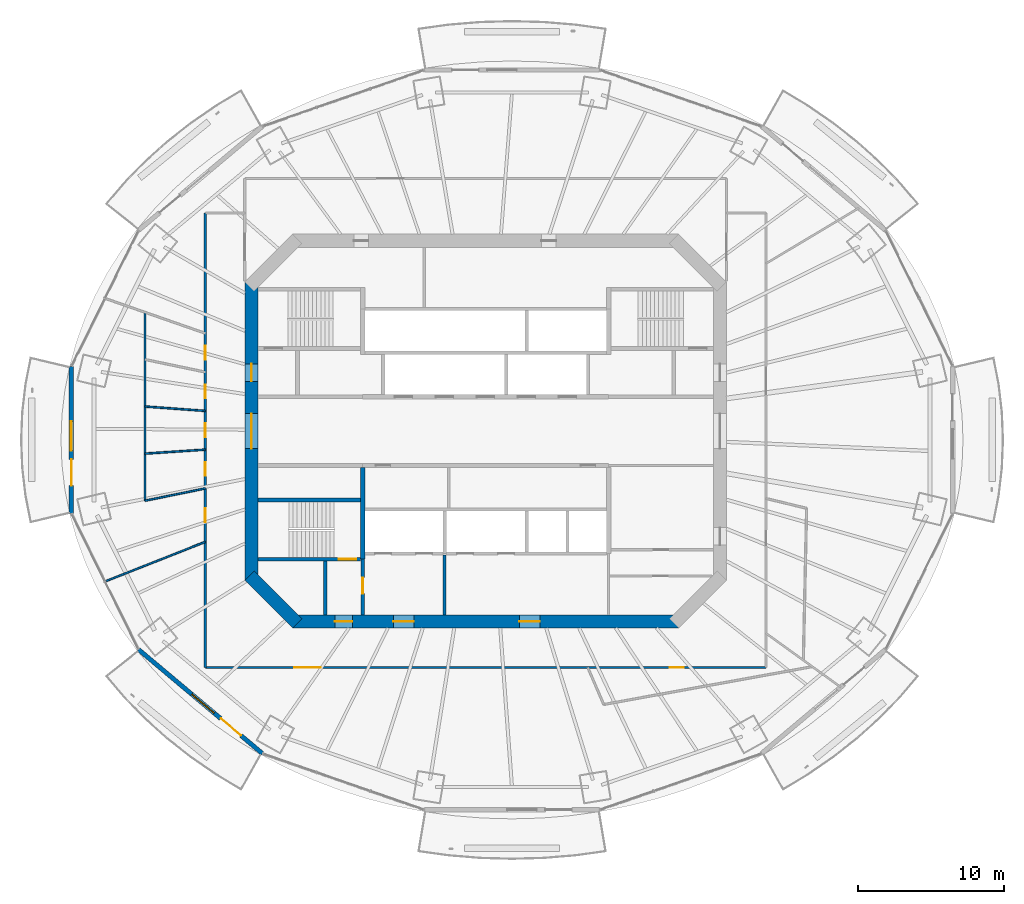
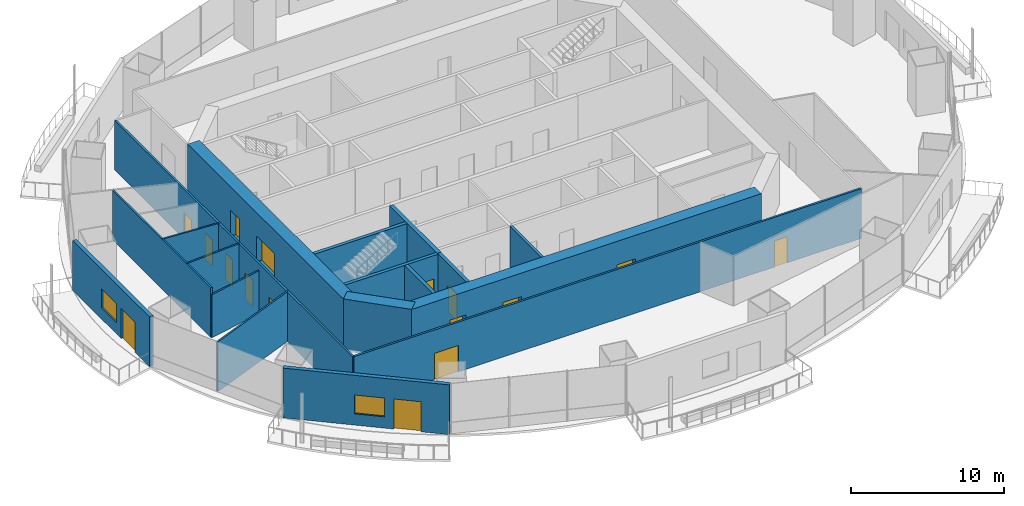
# One storey, part 10 of 19: 18 walls, 16 doors, 2 windows, 18 openings.
"""IFC4 building model written with IfcOpenShell, lengths in metres."""

from ifc_helpers import new_model, si_unit, direction, frame, frame_2d, origin, place, context, subcontext, project, spatial, rectangle, extrude, material, layer, layer_set, type_object, element, fill, save


model = new_model("IFC4")

# Units and contexts
model_context = context("Model", 3, precision=1e-05, world=origin(), true_north=direction((0.0, 1.0)))
body_context = subcontext(model_context, "Body", "Model", "MODEL_VIEW")
ifc_project = project(units=[si_unit("LENGTHUNIT", "METRE"), si_unit("AREAUNIT", "SQUARE_METRE"), si_unit("VOLUMEUNIT", "CUBIC_METRE"), si_unit("PLANEANGLEUNIT", "RADIAN"), si_unit("MASSUNIT", "GRAM", prefix="KILO")], contexts=[model_context])

# Site, building, storey
site_placement = place(None, origin())
site = spatial("IfcSite", under=ifc_project, at=site_placement, CompositionType="ELEMENT")
building_placement = place(site_placement, origin())
building = spatial("IfcBuilding", under=site, at=building_placement, Name="Marenthal Gate Tower", CompositionType="ELEMENT")
storey_placement = place(building_placement, frame((0.0, 0.0, 231.60009765625)))
storey = spatial("IfcBuildingStorey", under=building, at=storey_placement, Name="L51", CompositionType="ELEMENT", Elevation=231.60009765625)

# Wall, openings, doors
ifc_material_1 = material(Name="Concrete 60 MPa", Category="concrete")
ifc_layer_1 = layer(ifc_material_1, 0.89990234375)
ifc_layer_set_1 = layer_set([ifc_layer_1], Name="Core shear wall 900")
wall_type_1 = type_object("IfcWallType", Name="Core shear wall 900", PredefinedType="SHEAR", material=ifc_layer_set_1)
wall_1_placement = place(storey_placement, frame((-16.0, 10.186279296875, -0.18017578125), z_axis=(0.0, 0.0, 1.0), x_axis=(0.0, -1.0, 0.0)))
wall_1 = element("IfcWall", 1, at=wall_1_placement, inside=storey, type_object=wall_type_1, Name="Core wall 06", PredefinedType="SHEAR", context=body_context, shape_type="SweptSolid", body=[
    extrude(rectangle(XDim=20.37255859375, YDim=0.89990234375, at=frame_2d((10.186279296875, 0.0))), origin(), (0.0, 0.0, 1.0), 4.150146484375),
])
opening_1_placement = place(wall_1_placement, frame((8.986328125, 0.0, 0.179931640625)))
opening_1 = element("IfcOpeningElement", 2, at=opening_1_placement, cuts=wall_1, Name="Opening D003.01", PredefinedType="OPENING", context=body_context, shape_type="SweptSolid", body=[
    extrude(rectangle(XDim=2.39990234375, YDim=2.10009765625, at=frame_2d((1.199951171875, 1.050048828125))), frame((0.0, 0.4599609375, 0.0), z_axis=(0.0, -1.0, 0.0), x_axis=(1.0, 0.0, 0.0)), (0.0, 0.0, 1.0), 0.919921875),
])
opening_2_placement = place(wall_1_placement, frame((5.58642578125, 0.0, 0.179931640625)))
opening_2 = element("IfcOpeningElement", 3, at=opening_2_placement, cuts=wall_1, Name="Opening D001.04", PredefinedType="OPENING", context=body_context, shape_type="SweptSolid", body=[
    extrude(rectangle(XDim=1.199951171875, YDim=2.10009765625, at=frame_2d((0.60009765625, 1.050048828125))), frame((0.0, 0.4599609375, 0.0), z_axis=(0.0, -1.0, 0.0), x_axis=(1.0, 0.0, 0.0)), (0.0, 0.0, 1.0), 0.919921875),
])
ifc_material_2 = material(Name="Steel fire door", Category="steel")
door_type_1 = type_object("IfcDoorType", Name="Double fire door FD 45 2400 x 2100", OperationType="DOUBLE_DOOR_SINGLE_SWING", PredefinedType="DOOR", material=ifc_material_2)
door_1_placement = place(opening_1_placement, origin())
door_1 = element("IfcDoor", 4, at=door_1_placement, inside=storey, type_object=door_type_1, Name="Door D003.01", OperationType="DOUBLE_DOOR_SINGLE_SWING", OverallHeight=2.10009765625, OverallWidth=2.39990234375, PredefinedType="DOOR", context=body_context, shape_type="SweptSolid", body=[
    extrude(rectangle(XDim=2.39990234375, YDim=2.10009765625, at=frame_2d((1.199951171875, 1.050048828125))), frame((0.0, 0.02490234375, 0.0), z_axis=(0.0, -1.0, 0.0), x_axis=(1.0, 0.0, 0.0)), (0.0, 0.0, 1.0), 0.050048828125),
])
fill(opening_1, door_1)
ifc_material_3 = material(Name="Steel fire door", Category="steel")
door_type_2 = type_object("IfcDoorType", Name="Fire door FD 90 1200 x 2100", OperationType="NOTDEFINED", PredefinedType="DOOR", material=ifc_material_3)
door_2_placement = place(opening_2_placement, origin())
door_2 = element("IfcDoor", 5, at=door_2_placement, inside=storey, type_object=door_type_2, Name="Door D001.04", OperationType="SINGLE_SWING_RIGHT", OverallHeight=2.10009765625, OverallWidth=1.199951171875, PredefinedType="DOOR", context=body_context, shape_type="SweptSolid", body=[
    extrude(rectangle(XDim=1.199951171875, YDim=2.10009765625, at=frame_2d((0.60009765625, 1.050048828125))), frame((0.0, 0.02490234375, 0.0), z_axis=(0.0, -1.0, 0.0), x_axis=(1.0, 0.0, 0.0)), (0.0, 0.0, 1.0), 0.050048828125),
])
fill(opening_2, door_2)

# Wall
wall_2_placement = place(storey_placement, frame((-16.1318359375, -9.8681640625, -0.18017578125), z_axis=(0.0, 0.0, 1.0), x_axis=(0.707106781187, -0.707106781187, 0.0)))
element("IfcWall", 6, at=wall_2_placement, inside=storey, type_object=wall_type_1, Name="Core wall 07", PredefinedType="SHEAR", context=body_context, shape_type="SweptSolid", body=[
    extrude(rectangle(XDim=4.615478515625, YDim=0.89990234375, at=frame_2d((2.3076171875, 0.0))), origin(), (0.0, 0.0, 1.0), 4.150146484375),
])

# Wall, openings, doors
wall_3_placement = place(storey_placement, frame((-13.186279296875, -13.0, -0.18017578125), z_axis=(0.0, 0.0, 1.0), x_axis=(1.0, 0.0, 0.0)))
wall_3 = element("IfcWall", 7, at=wall_3_placement, inside=storey, type_object=wall_type_1, Name="Core wall 08", PredefinedType="SHEAR", context=body_context, shape_type="SweptSolid", body=[
    extrude(rectangle(XDim=26.37255859375, YDim=0.89990234375, at=frame_2d((13.186279296875, 0.0))), origin(), (0.0, 0.0, 1.0), 4.150146484375),
])
opening_3_placement = place(wall_3_placement, frame((2.886474609375, 0.0, 0.179931640625)))
opening_3 = element("IfcOpeningElement", 8, at=opening_3_placement, cuts=wall_3, Name="Opening D001.06", PredefinedType="OPENING", context=body_context, shape_type="SweptSolid", body=[
    extrude(rectangle(XDim=1.199951171875, YDim=2.10009765625, at=frame_2d((0.60009765625, 1.050048828125))), frame((0.0, 0.4599609375, 0.0), z_axis=(0.0, -1.0, 0.0), x_axis=(1.0, 0.0, 0.0)), (0.0, 0.0, 1.0), 0.919921875),
])
opening_4_placement = place(wall_3_placement, frame((6.886474609375, 0.0, 0.179931640625)))
opening_4 = element("IfcOpeningElement", 9, at=opening_4_placement, cuts=wall_3, Name="Opening D004.01", PredefinedType="OPENING", context=body_context, shape_type="SweptSolid", body=[
    extrude(rectangle(XDim=1.39990234375, YDim=2.10009765625, at=frame_2d((0.699951171875, 1.050048828125))), frame((0.0, 0.4599609375, 0.0), z_axis=(0.0, -1.0, 0.0), x_axis=(1.0, 0.0, 0.0)), (0.0, 0.0, 1.0), 0.919921875),
])
opening_5_placement = place(wall_3_placement, frame((15.486328125, 0.0, 0.179931640625)))
opening_5 = element("IfcOpeningElement", 10, at=opening_5_placement, cuts=wall_3, Name="Opening D004.02", PredefinedType="OPENING", context=body_context, shape_type="SweptSolid", body=[
    extrude(rectangle(XDim=1.39990234375, YDim=2.10009765625, at=frame_2d((0.699951171875, 1.050048828125))), frame((0.0, 0.4599609375, 0.0), z_axis=(0.0, -1.0, 0.0), x_axis=(1.0, 0.0, 0.0)), (0.0, 0.0, 1.0), 0.919921875),
])
ifc_material_4 = material(Name="Steel fire door", Category="steel")
door_type_3 = type_object("IfcDoorType", Name="Fire door FD 45 1400 x 2100", OperationType="NOTDEFINED", PredefinedType="DOOR", material=ifc_material_4)
door_3_placement = place(opening_4_placement, origin())
door_3 = element("IfcDoor", 11, at=door_3_placement, inside=storey, type_object=door_type_3, Name="Door D004.01", OperationType="SINGLE_SWING_RIGHT", OverallHeight=2.10009765625, OverallWidth=1.39990234375, PredefinedType="DOOR", context=body_context, shape_type="SweptSolid", body=[
    extrude(rectangle(XDim=1.39990234375, YDim=2.10009765625, at=frame_2d((0.699951171875, 1.050048828125))), frame((0.0, 0.02490234375, 0.0), z_axis=(0.0, -1.0, 0.0), x_axis=(1.0, 0.0, 0.0)), (0.0, 0.0, 1.0), 0.050048828125),
])
fill(opening_4, door_3)
door_4_placement = place(opening_5_placement, origin())
door_4 = element("IfcDoor", 12, at=door_4_placement, inside=storey, type_object=door_type_3, Name="Door D004.02", OperationType="SINGLE_SWING_RIGHT", OverallHeight=2.10009765625, OverallWidth=1.39990234375, PredefinedType="DOOR", context=body_context, shape_type="SweptSolid", body=[
    extrude(rectangle(XDim=1.39990234375, YDim=2.10009765625, at=frame_2d((0.699951171875, 1.050048828125))), frame((0.0, 0.02490234375, 0.0), z_axis=(0.0, -1.0, 0.0), x_axis=(1.0, 0.0, 0.0)), (0.0, 0.0, 1.0), 0.050048828125),
])
fill(opening_5, door_4)
door_5_placement = place(opening_3_placement, origin())
door_5 = element("IfcDoor", 13, at=door_5_placement, inside=storey, type_object=door_type_2, Name="Door D001.06", OperationType="SINGLE_SWING_RIGHT", OverallHeight=2.10009765625, OverallWidth=1.199951171875, PredefinedType="DOOR", context=body_context, shape_type="SweptSolid", body=[
    extrude(rectangle(XDim=1.199951171875, YDim=2.10009765625, at=frame_2d((0.60009765625, 1.050048828125))), frame((0.0, 0.02490234375, 0.0), z_axis=(0.0, -1.0, 0.0), x_axis=(1.0, 0.0, 0.0)), (0.0, 0.0, 1.0), 0.050048828125),
])
fill(opening_3, door_5)

# Walls
ifc_material_5 = material(Name="Gypsum board on steel studs", Category="steel")
ifc_layer_2 = layer(ifc_material_5, 0.199951171875)
ifc_layer_set_2 = layer_set([ifc_layer_2], Name="Fire lobby wall 200")
wall_type_2 = type_object("IfcWallType", Name="Fire lobby wall 200", PredefinedType="PARTITIONING", material=ifc_layer_set_2)
wall_4_placement = place(storey_placement, frame((-2.800048828125, -12.550048828125, 0.0), z_axis=(0.0, 0.0, 1.0), x_axis=(0.0, 1.0, 0.0)))
element("IfcWall", 14, at=wall_4_placement, inside=storey, type_object=wall_type_2, Name="Fire wall 36", PredefinedType="PARTITIONING", context=body_context, shape_type="SweptSolid", body=[
    extrude(rectangle(XDim=4.090087890625, YDim=0.199951171875, at=frame_2d((2.044921875, 0.0))), origin(), (0.0, 0.0, 1.0), 3.969970703125),
])
ifc_material_6 = material(Name="Concrete 50 MPa", Category="concrete")
ifc_layer_3 = layer(ifc_material_6, 0.300048828125)
ifc_layer_set_3 = layer_set([ifc_layer_3], Name="Hoistway shear wall 300")
wall_type_3 = type_object("IfcWallType", Name="Hoistway shear wall 300", PredefinedType="SHEAR", material=ifc_layer_set_3)
wall_5_placement = place(storey_placement, frame((-8.39990234375, -8.75, -0.18017578125), z_axis=(0.0, 0.0, 1.0), x_axis=(0.0, 1.0, 0.0)))
element("IfcWall", 15, at=wall_5_placement, inside=storey, type_object=wall_type_3, Name="Hoistway wall 31", PredefinedType="SHEAR", context=body_context, shape_type="SweptSolid", body=[
    extrude(rectangle(XDim=6.25, YDim=0.300048828125, at=frame_2d((3.125, 0.0))), origin(), (0.0, 0.0, 1.0), 4.150146484375),
])
ifc_material_7 = material(Name="Gypsum board on steel studs", Category="steel")
ifc_layer_4 = layer(ifc_material_7, 0.1201171875)
ifc_layer_set_4 = layer_set([ifc_layer_4], Name="Partition 120")
wall_type_4 = type_object("IfcWallType", Name="Partition 120", PredefinedType="PARTITIONING", material=ifc_layer_set_4)
wall_6_placement = place(storey_placement, frame((-23.264404296875, -4.751953125, 0.0), z_axis=(0.0, 0.0, 1.0), x_axis=(0.979774293951, 0.200105804295, 0.0)))
element("IfcWall", 16, at=wall_6_placement, inside=storey, type_object=wall_type_4, Name="Partition wall 49", PredefinedType="PARTITIONING", context=body_context, shape_type="SweptSolid", body=[
    extrude(rectangle(XDim=4.199462890625, YDim=0.1201171875, at=frame_2d((2.099609375, 0.0))), origin(), (0.0, 0.0, 1.0), 3.433837890625),
])
wall_7_placement = place(storey_placement, frame((-23.264404296875, -1.535400390625, 0.0), z_axis=(0.0, 0.0, 1.0), x_axis=(0.99783024909, 0.065839152494, 0.0)))
element("IfcWall", 17, at=wall_7_placement, inside=storey, type_object=wall_type_4, Name="Partition wall 50", PredefinedType="PARTITIONING", context=body_context, shape_type="SweptSolid", body=[
    extrude(rectangle(XDim=4.12353515625, YDim=0.1201171875, at=frame_2d((2.061767578125, 0.0))), origin(), (0.0, 0.0, 1.0), 3.969970703125),
])
wall_8_placement = place(storey_placement, frame((-23.264404296875, 1.680908203125, 0.0), z_axis=(0.0, 0.0, 1.0), x_axis=(0.997402818869, -0.07202511307, 0.0)))
element("IfcWall", 18, at=wall_8_placement, inside=storey, type_object=wall_type_4, Name="Partition wall 51", PredefinedType="PARTITIONING", context=body_context, shape_type="SweptSolid", body=[
    extrude(rectangle(XDim=4.125244140625, YDim=0.1201171875, at=frame_2d((2.0625, 0.0))), origin(), (0.0, 0.0, 1.0), 3.969970703125),
])
wall_9_placement = place(storey_placement, frame((-23.264404296875, 8.11376953125, 0.0), z_axis=(0.0, 0.0, 1.0), x_axis=(0.0, -1.0, 0.0)))
element("IfcWall", 19, at=wall_9_placement, inside=storey, type_object=wall_type_4, Name="Partition wall 53", PredefinedType="PARTITIONING", context=body_context, shape_type="SweptSolid", body=[
    extrude(rectangle(XDim=12.86572265625, YDim=0.1201171875, at=frame_2d((6.432861328125, 0.0))), origin(), (0.0, 0.0, 1.0), 3.969970703125),
])
wall_10_placement = place(storey_placement, frame((-19.14990234375, -7.5625, 0.0), z_axis=(0.0, 0.0, 1.0), x_axis=(-0.930098365243, -0.367310537518, 0.0)))
element("IfcWall", 20, at=wall_10_placement, inside=storey, type_object=wall_type_4, Name="Partition wall 55", PredefinedType="PARTITIONING", context=body_context, shape_type="SweptSolid", body=[
    extrude(rectangle(XDim=7.37255859375, YDim=0.1201171875, at=frame_2d((3.686279296875, 0.0))), origin(), (0.0, 0.0, 1.0), 3.969970703125),
])

# Wall, openings, doors
ifc_material_8 = material(Name="Gypsum board on steel studs", Category="steel")
ifc_layer_5 = layer(ifc_material_8, 0.14990234375)
ifc_layer_set_5 = layer_set([ifc_layer_5], Name="Partition 150")
wall_type_5 = type_object("IfcWallType", Name="Partition 150", PredefinedType="PARTITIONING", material=ifc_layer_set_5)
wall_11_placement = place(storey_placement, frame((-19.14990234375, -16.14990234375, 0.0), z_axis=(0.0, 0.0, 1.0), x_axis=(0.0, 1.0, 0.0)))
wall_11 = element("IfcWall", 21, at=wall_11_placement, inside=storey, type_object=wall_type_5, Name="Partition wall 54", PredefinedType="PARTITIONING", context=body_context, shape_type="SweptSolid", body=[
    extrude(rectangle(XDim=31.0498046875, YDim=0.14990234375, at=frame_2d((15.52490234375, 0.0))), origin(), (0.0, 0.0, 1.0), 3.969970703125),
])
opening_6_placement = place(wall_11_placement, frame((21.030029296875, 0.0, 0.0)))
opening_6 = element("IfcOpeningElement", 22, at=opening_6_placement, cuts=wall_11, Name="Opening D016.01", PredefinedType="OPENING", context=body_context, shape_type="SweptSolid", body=[
    extrude(rectangle(XDim=0.949951171875, YDim=2.10009765625, at=frame_2d((0.47509765625, 1.050048828125))), frame((0.0, 0.0849609375, 0.0), z_axis=(0.0, -1.0, 0.0), x_axis=(1.0, 0.0, 0.0)), (0.0, 0.0, 1.0), 0.169921875),
])
opening_7_placement = place(wall_11_placement, frame((18.382080078125, 0.0, 0.0)))
opening_7 = element("IfcOpeningElement", 23, at=opening_7_placement, cuts=wall_11, Name="Opening D016.02", PredefinedType="OPENING", context=body_context, shape_type="SweptSolid", body=[
    extrude(rectangle(XDim=0.949951171875, YDim=2.10009765625, at=frame_2d((0.47509765625, 1.050048828125))), frame((0.0, 0.0849609375, 0.0), z_axis=(0.0, -1.0, 0.0), x_axis=(1.0, 0.0, 0.0)), (0.0, 0.0, 1.0), 0.169921875),
])
opening_8_placement = place(wall_11_placement, frame((15.735107421875, 0.0, 0.0)))
opening_8 = element("IfcOpeningElement", 24, at=opening_8_placement, cuts=wall_11, Name="Opening D016.03", PredefinedType="OPENING", context=body_context, shape_type="SweptSolid", body=[
    extrude(rectangle(XDim=0.949951171875, YDim=2.10009765625, at=frame_2d((0.47509765625, 1.050048828125))), frame((0.0, 0.0849609375, 0.0), z_axis=(0.0, -1.0, 0.0), x_axis=(1.0, 0.0, 0.0)), (0.0, 0.0, 1.0), 0.169921875),
])
opening_9_placement = place(wall_11_placement, frame((13.0869140625, 0.0, 0.0)))
opening_9 = element("IfcOpeningElement", 25, at=opening_9_placement, cuts=wall_11, Name="Opening D016.04", PredefinedType="OPENING", context=body_context, shape_type="SweptSolid", body=[
    extrude(rectangle(XDim=0.949951171875, YDim=2.10009765625, at=frame_2d((0.47509765625, 1.050048828125))), frame((0.0, 0.0849609375, 0.0), z_axis=(0.0, -1.0, 0.0), x_axis=(1.0, 0.0, 0.0)), (0.0, 0.0, 1.0), 0.169921875),
])
opening_10_placement = place(wall_11_placement, frame((9.93798828125, 0.0, 0.0)))
opening_10 = element("IfcOpeningElement", 26, at=opening_10_placement, cuts=wall_11, Name="Opening D016.05", PredefinedType="OPENING", context=body_context, shape_type="SweptSolid", body=[
    extrude(rectangle(XDim=0.949951171875, YDim=2.10009765625, at=frame_2d((0.47509765625, 1.050048828125))), frame((0.0, 0.0849609375, 0.0), z_axis=(0.0, -1.0, 0.0), x_axis=(1.0, 0.0, 0.0)), (0.0, 0.0, 1.0), 0.169921875),
])
ifc_material_9 = material(Name="Timber door", Category="wood")
door_type_4 = type_object("IfcDoorType", Name="Door 950 x 2100", OperationType="NOTDEFINED", PredefinedType="DOOR", material=ifc_material_9)
door_6_placement = place(opening_6_placement, origin())
door_6 = element("IfcDoor", 27, at=door_6_placement, inside=storey, type_object=door_type_4, Name="Door D016.01", OperationType="SINGLE_SWING_RIGHT", OverallHeight=2.10009765625, OverallWidth=0.949951171875, PredefinedType="DOOR", context=body_context, shape_type="SweptSolid", body=[
    extrude(rectangle(XDim=0.949951171875, YDim=2.10009765625, at=frame_2d((0.47509765625, 1.050048828125))), frame((0.0, 0.02490234375, 0.0), z_axis=(0.0, -1.0, 0.0), x_axis=(1.0, 0.0, 0.0)), (0.0, 0.0, 1.0), 0.050048828125),
])
fill(opening_6, door_6)
door_7_placement = place(opening_7_placement, origin())
door_7 = element("IfcDoor", 28, at=door_7_placement, inside=storey, type_object=door_type_4, Name="Door D016.02", OperationType="SINGLE_SWING_RIGHT", OverallHeight=2.10009765625, OverallWidth=0.949951171875, PredefinedType="DOOR", context=body_context, shape_type="SweptSolid", body=[
    extrude(rectangle(XDim=0.949951171875, YDim=2.10009765625, at=frame_2d((0.47509765625, 1.050048828125))), frame((0.0, 0.02490234375, 0.0), z_axis=(0.0, -1.0, 0.0), x_axis=(1.0, 0.0, 0.0)), (0.0, 0.0, 1.0), 0.050048828125),
])
fill(opening_7, door_7)
door_8_placement = place(opening_8_placement, origin())
door_8 = element("IfcDoor", 29, at=door_8_placement, inside=storey, type_object=door_type_4, Name="Door D016.03", OperationType="SINGLE_SWING_RIGHT", OverallHeight=2.10009765625, OverallWidth=0.949951171875, PredefinedType="DOOR", context=body_context, shape_type="SweptSolid", body=[
    extrude(rectangle(XDim=0.949951171875, YDim=2.10009765625, at=frame_2d((0.47509765625, 1.050048828125))), frame((0.0, 0.02490234375, 0.0), z_axis=(0.0, -1.0, 0.0), x_axis=(1.0, 0.0, 0.0)), (0.0, 0.0, 1.0), 0.050048828125),
])
fill(opening_8, door_8)
door_9_placement = place(opening_9_placement, origin())
door_9 = element("IfcDoor", 30, at=door_9_placement, inside=storey, type_object=door_type_4, Name="Door D016.04", OperationType="SINGLE_SWING_RIGHT", OverallHeight=2.10009765625, OverallWidth=0.949951171875, PredefinedType="DOOR", context=body_context, shape_type="SweptSolid", body=[
    extrude(rectangle(XDim=0.949951171875, YDim=2.10009765625, at=frame_2d((0.47509765625, 1.050048828125))), frame((0.0, 0.02490234375, 0.0), z_axis=(0.0, -1.0, 0.0), x_axis=(1.0, 0.0, 0.0)), (0.0, 0.0, 1.0), 0.050048828125),
])
fill(opening_9, door_9)
door_10_placement = place(opening_10_placement, origin())
door_10 = element("IfcDoor", 31, at=door_10_placement, inside=storey, type_object=door_type_4, Name="Door D016.05", OperationType="SINGLE_SWING_RIGHT", OverallHeight=2.10009765625, OverallWidth=0.949951171875, PredefinedType="DOOR", context=body_context, shape_type="SweptSolid", body=[
    extrude(rectangle(XDim=0.949951171875, YDim=2.10009765625, at=frame_2d((0.47509765625, 1.050048828125))), frame((0.0, 0.02490234375, 0.0), z_axis=(0.0, -1.0, 0.0), x_axis=(1.0, 0.0, 0.0)), (0.0, 0.0, 1.0), 0.050048828125),
])
fill(opening_10, door_10)

wall_12_placement = place(storey_placement, frame((19.14990234375, -16.14990234375, 0.0), z_axis=(0.0, 0.0, 1.0), x_axis=(-1.0, 0.0, 0.0)))
wall_12 = element("IfcWall", 32, at=wall_12_placement, inside=storey, type_object=wall_type_5, Name="Partition wall 64", PredefinedType="PARTITIONING", context=body_context, shape_type="SweptSolid", body=[
    extrude(rectangle(XDim=38.2998046875, YDim=0.14990234375, at=frame_2d((19.14990234375, 0.0))), origin(), (0.0, 0.0, 1.0), 3.969970703125),
])
opening_11_placement = place(wall_12_placement, frame((5.611083984375, 0.0, 0.0)))
opening_11 = element("IfcOpeningElement", 33, at=opening_11_placement, cuts=wall_12, Name="Opening D016.06", PredefinedType="OPENING", context=body_context, shape_type="SweptSolid", body=[
    extrude(rectangle(XDim=0.949951171875, YDim=2.10009765625, at=frame_2d((0.47509765625, 1.050048828125))), frame((0.0, 0.0849609375, 0.0), z_axis=(0.0, -1.0, 0.0), x_axis=(1.0, 0.0, 0.0)), (0.0, 0.0, 1.0), 0.169921875),
])
opening_12_placement = place(wall_12_placement, frame((30.4140625, 0.0, 0.0)))
opening_12 = element("IfcOpeningElement", 34, at=opening_12_placement, cuts=wall_12, Name="Opening D014.02", PredefinedType="OPENING", context=body_context, shape_type="SweptSolid", body=[
    extrude(rectangle(XDim=1.800048828125, YDim=2.10009765625, at=frame_2d((0.89990234375, 1.050048828125))), frame((0.0, 0.0849609375, 0.0), z_axis=(0.0, -1.0, 0.0), x_axis=(1.0, 0.0, 0.0)), (0.0, 0.0, 1.0), 0.169921875),
])
door_11_placement = place(opening_11_placement, origin())
door_11 = element("IfcDoor", 35, at=door_11_placement, inside=storey, type_object=door_type_4, Name="Door D016.06", OperationType="SINGLE_SWING_RIGHT", OverallHeight=2.10009765625, OverallWidth=0.949951171875, PredefinedType="DOOR", context=body_context, shape_type="SweptSolid", body=[
    extrude(rectangle(XDim=0.949951171875, YDim=2.10009765625, at=frame_2d((0.47509765625, 1.050048828125))), frame((0.0, 0.02490234375, 0.0), z_axis=(0.0, -1.0, 0.0), x_axis=(1.0, 0.0, 0.0)), (0.0, 0.0, 1.0), 0.050048828125),
])
fill(opening_11, door_11)
ifc_material_10 = material(Name="Timber door", Category="wood")
door_type_5 = type_object("IfcDoorType", Name="Double door 1800 x 2100", OperationType="DOUBLE_DOOR_SINGLE_SWING", PredefinedType="DOOR", material=ifc_material_10)
door_12_placement = place(opening_12_placement, origin())
door_12 = element("IfcDoor", 36, at=door_12_placement, inside=storey, type_object=door_type_5, Name="Door D014.02", OperationType="DOUBLE_DOOR_SINGLE_SWING", OverallHeight=2.10009765625, OverallWidth=1.800048828125, PredefinedType="DOOR", context=body_context, shape_type="SweptSolid", body=[
    extrude(rectangle(XDim=1.800048828125, YDim=2.10009765625, at=frame_2d((0.89990234375, 1.050048828125))), frame((0.0, 0.02490234375, 0.0), z_axis=(0.0, -1.0, 0.0), x_axis=(1.0, 0.0, 0.0)), (0.0, 0.0, 1.0), 0.050048828125),
])
fill(opening_12, door_12)

# Wall
ifc_material_11 = material(Name="Concrete 40 MPa", Category="concrete")
ifc_layer_6 = layer(ifc_material_11, 0.25)
ifc_layer_set_6 = layer_set([ifc_layer_6], Name="Stair enclosure wall 250")
wall_type_6 = type_object("IfcWallType", Name="Stair enclosure wall 250", PredefinedType="STANDARD", material=ifc_layer_set_6)
wall_13_placement = place(storey_placement, frame((-10.949951171875, -12.550048828125, 0.0), z_axis=(0.0, 0.0, 1.0), x_axis=(0.0, 1.0, 0.0)))
element("IfcWall", 37, at=wall_13_placement, inside=storey, type_object=wall_type_6, Name="Stair wall 29", PredefinedType="STANDARD", context=body_context, shape_type="SweptSolid", body=[
    extrude(rectangle(XDim=3.675048828125, YDim=0.25, at=frame_2d((1.83740234375, 0.0))), origin(), (0.0, 0.0, 1.0), 3.969970703125),
])

# Wall, opening, door
wall_14_placement = place(storey_placement, frame((-8.39990234375, -12.550048828125, 0.0), z_axis=(0.0, 0.0, 1.0), x_axis=(0.0, 1.0, 0.0)))
wall_14 = element("IfcWall", 38, at=wall_14_placement, inside=storey, type_object=wall_type_6, Name="Stair wall 30", PredefinedType="STANDARD", context=body_context, shape_type="SweptSolid", body=[
    extrude(rectangle(XDim=3.800048828125, YDim=0.25, at=frame_2d((1.89990234375, 0.0))), origin(), (0.0, 0.0, 1.0), 3.969970703125),
])
opening_13_placement = place(wall_14_placement, frame((1.449951171875, 0.0, 0.0)))
opening_13 = element("IfcOpeningElement", 39, at=opening_13_placement, cuts=wall_14, Name="Opening D002.01", PredefinedType="OPENING", context=body_context, shape_type="SweptSolid", body=[
    extrude(rectangle(XDim=1.10009765625, YDim=2.10009765625, at=frame_2d((0.550048828125, 1.050048828125))), frame((0.0, 0.135009765625, 0.0), z_axis=(0.0, -1.0, 0.0), x_axis=(1.0, 0.0, 0.0)), (0.0, 0.0, 1.0), 0.27001953125),
])
ifc_material_12 = material(Name="Steel fire door", Category="steel")
door_type_6 = type_object("IfcDoorType", Name="Fire door FD 90 1100 x 2100", OperationType="NOTDEFINED", PredefinedType="DOOR", material=ifc_material_12)
door_13_placement = place(opening_13_placement, origin())
door_13 = element("IfcDoor", 40, at=door_13_placement, inside=storey, type_object=door_type_6, Name="Door D002.01", OperationType="SINGLE_SWING_RIGHT", OverallHeight=2.10009765625, OverallWidth=1.10009765625, PredefinedType="DOOR", context=body_context, shape_type="SweptSolid", body=[
    extrude(rectangle(XDim=1.10009765625, YDim=2.10009765625, at=frame_2d((0.550048828125, 1.050048828125))), frame((0.0, 0.02490234375, 0.0), z_axis=(0.0, -1.0, 0.0), x_axis=(1.0, 0.0, 0.0)), (0.0, 0.0, 1.0), 0.050048828125),
])
fill(opening_13, door_13)

ifc_material_13 = material(Name="Concrete 50 MPa", Category="concrete")
ifc_layer_7 = layer(ifc_material_13, 0.25)
ifc_layer_set_7 = layer_set([ifc_layer_7], Name="Stair shear wall 250")
wall_type_7 = type_object("IfcWallType", Name="Stair shear wall 250", PredefinedType="SHEAR", material=ifc_layer_set_7)
wall_15_placement = place(storey_placement, frame((-15.550048828125, -8.75, -0.18017578125), z_axis=(0.0, 0.0, 1.0), x_axis=(1.0, 0.0, 0.0)))
wall_15 = element("IfcWall", 41, at=wall_15_placement, inside=storey, type_object=wall_type_7, Name="Stair wall 10", PredefinedType="SHEAR", context=body_context, shape_type="SweptSolid", body=[
    extrude(rectangle(XDim=7.0, YDim=0.25, at=frame_2d((3.5, 0.0))), origin(), (0.0, 0.0, 1.0), 4.150146484375),
])
opening_14_placement = place(wall_15_placement, frame((5.5, 0.0, 0.179931640625)))
opening_14 = element("IfcOpeningElement", 42, at=opening_14_placement, cuts=wall_15, Name="Opening D001.03", PredefinedType="OPENING", context=body_context, shape_type="SweptSolid", body=[
    extrude(rectangle(XDim=1.199951171875, YDim=2.10009765625, at=frame_2d((0.60009765625, 1.050048828125))), frame((0.0, 0.135009765625, 0.0), z_axis=(0.0, -1.0, 0.0), x_axis=(1.0, 0.0, 0.0)), (0.0, 0.0, 1.0), 0.27001953125),
])
door_14_placement = place(opening_14_placement, origin())
door_14 = element("IfcDoor", 43, at=door_14_placement, inside=storey, type_object=door_type_2, Name="Door D001.03", OperationType="SINGLE_SWING_RIGHT", OverallHeight=2.10009765625, OverallWidth=1.199951171875, PredefinedType="DOOR", context=body_context, shape_type="SweptSolid", body=[
    extrude(rectangle(XDim=1.199951171875, YDim=2.10009765625, at=frame_2d((0.60009765625, 1.050048828125))), frame((0.0, 0.02490234375, 0.0), z_axis=(0.0, -1.0, 0.0), x_axis=(1.0, 0.0, 0.0)), (0.0, 0.0, 1.0), 0.050048828125),
])
fill(opening_14, door_14)

# Wall
wall_16_placement = place(storey_placement, frame((-15.550048828125, -4.699951171875, -0.18017578125), z_axis=(0.0, 0.0, 1.0), x_axis=(1.0, 0.0, 0.0)))
element("IfcWall", 44, at=wall_16_placement, inside=storey, type_object=wall_type_7, Name="Stair wall 15", PredefinedType="SHEAR", context=body_context, shape_type="SweptSolid", body=[
    extrude(rectangle(XDim=7.0, YDim=0.25, at=frame_2d((3.5, 0.0))), origin(), (0.0, 0.0, 1.0), 4.150146484375),
])

# Wall, openings, door, window
ifc_material_14 = material(Name="Terracotta cladding on insulated concrete-block backing", Category="masonry")
ifc_layer_8 = layer(ifc_material_14, 0.300048828125)
ifc_layer_set_8 = layer_set([ifc_layer_8], Name="Terracotta facade wall 300")
wall_type_8 = type_object("IfcWallType", Name="Terracotta facade wall 300", PredefinedType="SOLIDWALL", material=ifc_layer_set_8)
wall_17_placement = place(storey_placement, frame((-28.29833984375, 4.426513671875, 0.0), z_axis=(0.0, 0.0, 1.0), x_axis=(0.0, -1.0, 0.0)))
wall_17 = element("IfcWall", 45, at=wall_17_placement, inside=storey, type_object=wall_type_8, Name="Terracotta facade wall L51 bay 8", PredefinedType="SOLIDWALL", context=body_context, shape_type="SweptSolid", body=[
    extrude(rectangle(XDim=10.052978515625, YDim=0.300048828125, at=frame_2d((5.0263671875, 0.0))), origin(), (0.0, 0.0, 1.0), 3.969970703125),
])
opening_15_placement = place(wall_17_placement, frame((6.35302734375, 0.0, 0.0)))
opening_15 = element("IfcOpeningElement", 46, at=opening_15_placement, cuts=wall_17, Name="Opening BD-L51-08", PredefinedType="OPENING", context=body_context, shape_type="SweptSolid", body=[
    extrude(rectangle(XDim=1.800048828125, YDim=2.39990234375, at=frame_2d((0.89990234375, 1.199951171875))), frame((0.0, 0.16015625, 0.0), z_axis=(0.0, -1.0, 0.0), x_axis=(1.0, 0.0, 0.0)), (0.0, 0.0, 1.0), 0.320068359375),
])
opening_16_placement = place(wall_17_placement, frame((3.7529296875, 0.0, 0.89990234375)))
opening_16 = element("IfcOpeningElement", 47, at=opening_16_placement, cuts=wall_17, Name="Opening WN2-L51-08", PredefinedType="OPENING", context=body_context, shape_type="SweptSolid", body=[
    extrude(rectangle(XDim=2.0, YDim=1.5, at=frame_2d((1.0, 0.75))), frame((0.0, 0.16015625, 0.0), z_axis=(0.0, -1.0, 0.0), x_axis=(1.0, 0.0, 0.0)), (0.0, 0.0, 1.0), 0.320068359375),
])
ifc_material_15 = material(Name="Aluminium and glass", Category="aluminium")
door_type_7 = type_object("IfcDoorType", Name="Balcony door 1800x2400", OperationType="DOUBLE_DOOR_SINGLE_SWING", PredefinedType="DOOR", material=ifc_material_15)
door_15_placement = place(opening_15_placement, origin())
door_15 = element("IfcDoor", 48, at=door_15_placement, inside=storey, type_object=door_type_7, Name="Balcony door L51 bay 8", OperationType="SINGLE_SWING_LEFT", OverallHeight=2.39990234375, OverallWidth=1.800048828125, PredefinedType="DOOR", context=body_context, shape_type="SweptSolid", body=[
    extrude(rectangle(XDim=1.800048828125, YDim=2.39990234375, at=frame_2d((0.89990234375, 1.199951171875))), frame((0.0, 0.02490234375, 0.0), z_axis=(0.0, -1.0, 0.0), x_axis=(1.0, 0.0, 0.0)), (0.0, 0.0, 1.0), 0.050048828125),
])
fill(opening_15, door_15)
ifc_material_16 = material(Name="Aluminium and glass", Category="aluminium")
window_type = type_object("IfcWindowType", Name="Window 2000x1500", PartitioningType="DOUBLE_PANEL_VERTICAL", PredefinedType="WINDOW", material=ifc_material_16)
window_1_placement = place(opening_16_placement, origin())
window_1 = element("IfcWindow", 49, at=window_1_placement, inside=storey, type_object=window_type, Name="Window L51 bay 8", OverallHeight=1.5, OverallWidth=2.0, PartitioningType="SINGLE_PANEL", PredefinedType="WINDOW", context=body_context, shape_type="SweptSolid", body=[
    extrude(rectangle(XDim=2.0, YDim=1.5, at=frame_2d((1.0, 0.75))), frame((0.0, 0.030029296875, 0.0), z_axis=(0.0, -1.0, 0.0), x_axis=(1.0, 0.0, 0.0)), (0.0, 0.0, 1.0), 0.06005859375),
])
fill(opening_16, window_1)

wall_18_placement = place(storey_placement, frame((-23.716064453125, -14.914306640625, 0.0), z_axis=(0.0, 0.0, 1.0), x_axis=(0.765870158107, -0.642995257308, 0.0)))
wall_18 = element("IfcWall", 50, at=wall_18_placement, inside=storey, type_object=wall_type_8, Name="Terracotta facade wall L51 bay 10", PredefinedType="SOLIDWALL", context=body_context, shape_type="SweptSolid", body=[
    extrude(rectangle(XDim=11.05517578125, YDim=0.300048828125, at=frame_2d((5.527587890625, 0.0))), origin(), (0.0, 0.0, 1.0), 3.969970703125),
])
opening_17_placement = place(wall_18_placement, frame((7.355224609375, 0.0, 0.0)))
opening_17 = element("IfcOpeningElement", 51, at=opening_17_placement, cuts=wall_18, Name="Opening BD-L51-10", PredefinedType="OPENING", context=body_context, shape_type="SweptSolid", body=[
    extrude(rectangle(XDim=1.800048828125, YDim=2.39990234375, at=frame_2d((0.89990234375, 1.199951171875))), frame((0.0, 0.16015625, 0.0), z_axis=(0.0, -1.0, 0.0), x_axis=(1.0, 0.0, 0.0)), (0.0, 0.0, 1.0), 0.320068359375),
])
opening_18_placement = place(wall_18_placement, frame((4.755126953125, 0.0, 0.89990234375)))
opening_18 = element("IfcOpeningElement", 52, at=opening_18_placement, cuts=wall_18, Name="Opening WN2-L51-10", PredefinedType="OPENING", context=body_context, shape_type="SweptSolid", body=[
    extrude(rectangle(XDim=2.0, YDim=1.5, at=frame_2d((1.0, 0.75))), frame((0.0, 0.16015625, 0.0), z_axis=(0.0, -1.0, 0.0), x_axis=(1.0, 0.0, 0.0)), (0.0, 0.0, 1.0), 0.320068359375),
])
door_16_placement = place(opening_17_placement, origin())
door_16 = element("IfcDoor", 53, at=door_16_placement, inside=storey, type_object=door_type_7, Name="Balcony door L51 bay 10", OperationType="SINGLE_SWING_LEFT", OverallHeight=2.39990234375, OverallWidth=1.800048828125, PredefinedType="DOOR", context=body_context, shape_type="SweptSolid", body=[
    extrude(rectangle(XDim=1.800048828125, YDim=2.39990234375, at=frame_2d((0.89990234375, 1.199951171875))), frame((0.0, 0.02490234375, 0.0), z_axis=(0.0, -1.0, 0.0), x_axis=(1.0, 0.0, 0.0)), (0.0, 0.0, 1.0), 0.050048828125),
])
fill(opening_17, door_16)
window_2_placement = place(opening_18_placement, origin())
window_2 = element("IfcWindow", 54, at=window_2_placement, inside=storey, type_object=window_type, Name="Window L51 bay 10", OverallHeight=1.5, OverallWidth=2.0, PartitioningType="SINGLE_PANEL", PredefinedType="WINDOW", context=body_context, shape_type="SweptSolid", body=[
    extrude(rectangle(XDim=2.0, YDim=1.5, at=frame_2d((1.0, 0.75))), frame((0.0, 0.030029296875, 0.0), z_axis=(0.0, -1.0, 0.0), x_axis=(1.0, 0.0, 0.0)), (0.0, 0.0, 1.0), 0.06005859375),
])
fill(opening_18, window_2)

save(model, "model.ifc")
